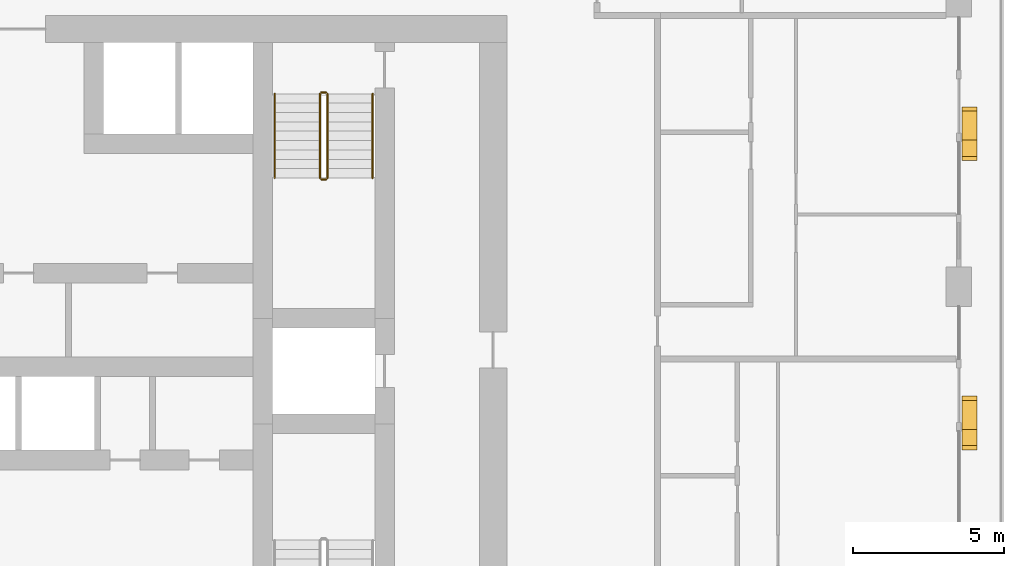
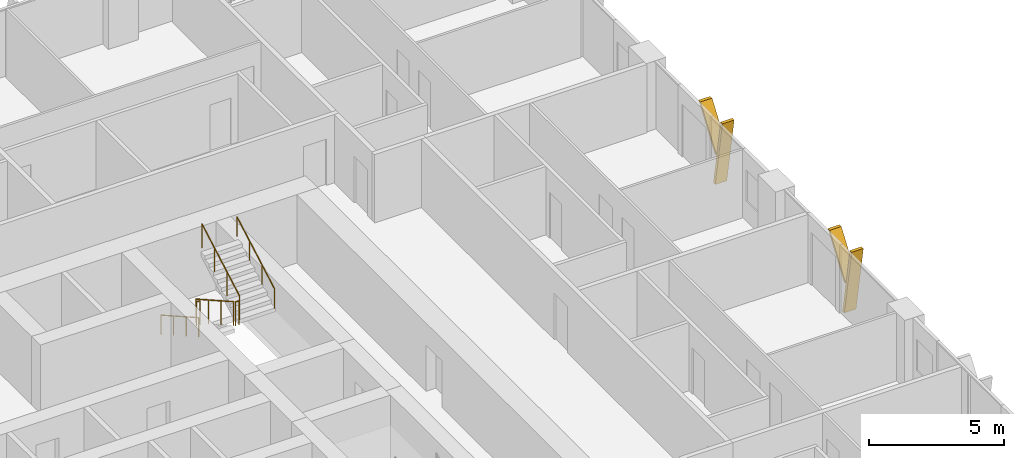
# One storey, part 20 of 21: 6 railings, 4 shading devices.
"""IFC4 building model written with IfcOpenShell, lengths in metres."""

from ifc_helpers import new_model, si_unit, direction, frame, origin, origin_2d, place, context, subcontext, project, spatial, polyline, circle, outline, extrude, material, type_object, element, save


model = new_model("IFC4")

# Units and contexts
model_context = context("Model", 3, precision=1e-05, world=origin(), true_north=direction((0.0, 1.0)))
body_context = subcontext(model_context, "Body", "Model", "MODEL_VIEW")
ifc_project = project(units=[si_unit("LENGTHUNIT", "METRE"), si_unit("AREAUNIT", "SQUARE_METRE"), si_unit("VOLUMEUNIT", "CUBIC_METRE"), si_unit("PLANEANGLEUNIT", "RADIAN"), si_unit("MASSUNIT", "GRAM", prefix="KILO")], contexts=[model_context])

# Site, building, storey
site_placement = place(None, origin())
site = spatial("IfcSite", under=ifc_project, at=site_placement, CompositionType="ELEMENT")
building_placement = place(site_placement, origin())
building = spatial("IfcBuilding", under=site, at=building_placement, Name="Madar Terraces", CompositionType="ELEMENT")
storey_placement = place(building_placement, frame((0.0, 0.0, 110.199951171875)))
storey = spatial("IfcBuildingStorey", under=building, at=storey_placement, Name="L28", CompositionType="ELEMENT", Elevation=110.199951171875)

# Shading devices
ifc_material_1 = material(Name="Aluminium, black anodised", Category="aluminium")
shading_device_type = type_object("IfcShadingDeviceType", Name="Facade fin blade 140 x 500", PredefinedType="USERDEFINED", material=ifc_material_1)
shading_device_1_placement = place(storey_placement, frame((62.75, 23.929931640625, 0.0), z_axis=(0.0, 0.0, 1.0), x_axis=(0.0, 1.0, 0.0)))
element("IfcShadingDevice", 1, at=shading_device_1_placement, inside=storey, type_object=shading_device_type, Name="FIN L28 E2", ObjectType="FIN", PredefinedType="USERDEFINED", context=body_context, shape_type="SweptSolid", body=[
    extrude(outline(polyline([(0.0, 0.0), (0.14013671875, 0.0), (-0.403076171875, 3.080078125), (-0.54296875, 3.080078125), (0.0, 0.0)])), frame((0.0, 0.25, 0.0), z_axis=(0.0, -1.0, 0.0), x_axis=(1.0, 0.0, 0.0)), (0.0, 0.0, 1.0), 0.5),
])
shading_device_2_placement = place(storey_placement, frame((62.75, 23.82568359375, 1.385986328125), z_axis=(0.0, 0.0, 1.0), x_axis=(0.0, 1.0, 0.0)))
element("IfcShadingDevice", 2, at=shading_device_2_placement, inside=storey, type_object=shading_device_type, Name="FIN L28 E2 branch", ObjectType="FIN", PredefinedType="USERDEFINED", context=body_context, shape_type="SweptSolid", body=[
    extrude(outline(polyline([(0.0, 0.0), (0.139892578125, 0.0), (1.34130859375, 1.694091796875), (1.201416015625, 1.694091796875), (0.0, 0.0)])), frame((0.0, 0.25, 0.0), z_axis=(0.0, -1.0, 0.0), x_axis=(1.0, 0.0, 0.0)), (0.0, 0.0, 1.0), 0.5),
])
shading_device_3_placement = place(storey_placement, frame((62.75, 33.530029296875, 0.0), z_axis=(0.0, 0.0, 1.0), x_axis=(0.0, 1.0, 0.0)))
element("IfcShadingDevice", 3, at=shading_device_3_placement, inside=storey, type_object=shading_device_type, Name="FIN L28 E3", ObjectType="FIN", PredefinedType="USERDEFINED", context=body_context, shape_type="SweptSolid", body=[
    extrude(outline(polyline([(0.0, 0.0), (0.139892578125, 0.0), (-0.403076171875, 3.080078125), (-0.54296875, 3.080078125), (0.0, 0.0)])), frame((0.0, 0.25, 0.0), z_axis=(0.0, -1.0, 0.0), x_axis=(1.0, 0.0, 0.0)), (0.0, 0.0, 1.0), 0.5),
])
shading_device_4_placement = place(storey_placement, frame((62.75, 33.425537109375, 1.385986328125), z_axis=(0.0, 0.0, 1.0), x_axis=(0.0, 1.0, 0.0)))
element("IfcShadingDevice", 4, at=shading_device_4_placement, inside=storey, type_object=shading_device_type, Name="FIN L28 E3 branch", ObjectType="FIN", PredefinedType="USERDEFINED", context=body_context, shape_type="SweptSolid", body=[
    extrude(outline(polyline([(0.0, 0.0), (0.14013671875, 0.0), (1.34130859375, 1.694091796875), (1.201416015625, 1.694091796875), (0.0, 0.0)])), frame((0.0, 0.25, 0.0), z_axis=(0.0, -1.0, 0.0), x_axis=(1.0, 0.0, 0.0)), (0.0, 0.0, 1.0), 0.5),
])

# Railings
ifc_material_2 = material(Name="Stainless steel railing", Category="steel")
railing_type_1 = type_object("IfcRailingType", Name="Stair guard 1100", PredefinedType="GUARDRAIL", material=ifc_material_2)
railing_1_placement = place(storey_placement, frame((41.199951171875, 35.199951171875, 0.175048828125)))
element("IfcRailing", 5, at=railing_1_placement, inside=storey, type_object=railing_type_1, Name="L28 ST2 stair guard 1", PredefinedType="GUARDRAIL", context=body_context, shape_type="SweptSolid", body=[
    extrude(circle(Radius=0.02392578125, at=origin_2d()), frame((0.0, 0.0, 1.076171875), z_axis=(0.0, -0.870833779661, 0.491577591232), x_axis=(1.0, 0.0, 0.0)), (0.0, 0.0, 1.0), 3.203857421875),
    extrude(circle(Radius=0.02099609375, at=origin_2d()), origin(), (0.0, 0.0, 1.0), 1.052001953125),
    extrude(circle(Radius=0.02099609375, at=origin_2d()), frame((0.0, -0.929931640625, 0.52490234375)), (0.0, 0.0, 1.0), 1.052001953125),
    extrude(circle(Radius=0.02099609375, at=origin_2d()), frame((0.0, -1.860107421875, 1.050048828125)), (0.0, 0.0, 1.0), 1.052001953125),
    extrude(circle(Radius=0.02099609375, at=origin_2d()), frame((0.0, -2.7900390625, 1.574951171875)), (0.0, 0.0, 1.0), 1.052001953125),
])
railing_2_placement = place(storey_placement, frame((41.25, 32.360107421875, 1.75)))
element("IfcRailing", 6, at=railing_2_placement, inside=storey, type_object=railing_type_1, Name="L28 ST2 stair guard 2", PredefinedType="GUARDRAIL", context=body_context, shape_type="SweptSolid", body=[
    extrude(circle(Radius=0.02392578125, at=origin_2d()), frame((0.0, 0.0, 1.076171875), z_axis=(1.0, 0.0, 0.0), x_axis=(0.0, 1.0, 0.0)), (0.0, 0.0, 1.0), 0.14990234375),
    extrude(circle(Radius=0.02099609375, at=origin_2d()), origin(), (0.0, 0.0, 1.0), 1.052001953125),
    extrude(circle(Radius=0.02099609375, at=origin_2d()), frame((0.14990234375, 0.0, 0.0)), (0.0, 0.0, 1.0), 1.052001953125),
])
railing_3_placement = place(storey_placement, frame((41.449951171875, 32.409912109375, 1.925048828125)))
element("IfcRailing", 7, at=railing_3_placement, inside=storey, type_object=railing_type_1, Name="L28 ST2 stair guard 3", PredefinedType="GUARDRAIL", context=body_context, shape_type="SweptSolid", body=[
    extrude(circle(Radius=0.02392578125, at=origin_2d()), frame((0.0, 0.0, 1.076171875), z_axis=(0.0, 0.870833779661, 0.491577591232), x_axis=(-1.0, 0.0, 0.0)), (0.0, 0.0, 1.0), 3.203857421875),
    extrude(circle(Radius=0.02099609375, at=origin_2d()), origin(), (0.0, 0.0, 1.0), 1.052001953125),
    extrude(circle(Radius=0.02099609375, at=origin_2d()), frame((0.0, 0.929931640625, 0.52490234375)), (0.0, 0.0, 1.0), 1.052001953125),
    extrude(circle(Radius=0.02099609375, at=origin_2d()), frame((0.0, 1.860107421875, 1.050048828125)), (0.0, 0.0, 1.0), 1.052001953125),
    extrude(circle(Radius=0.02099609375, at=origin_2d()), frame((0.0, 2.7900390625, 1.574951171875)), (0.0, 0.0, 1.0), 1.052001953125),
])
railing_4_placement = place(storey_placement, frame((41.25, 35.25, 0.0)))
element("IfcRailing", 8, at=railing_4_placement, inside=storey, type_object=railing_type_1, Name="L28 ST2 stair guard 4", PredefinedType="GUARDRAIL", context=body_context, shape_type="SweptSolid", body=[
    extrude(circle(Radius=0.02392578125, at=origin_2d()), frame((0.0, 0.0, 1.076171875), z_axis=(1.0, 0.0, 0.0), x_axis=(0.0, 1.0, 0.0)), (0.0, 0.0, 1.0), 0.14990234375),
    extrude(circle(Radius=0.02099609375, at=origin_2d()), origin(), (0.0, 0.0, 1.0), 1.052001953125),
    extrude(circle(Radius=0.02099609375, at=origin_2d()), frame((0.14990234375, 0.0, 0.0)), (0.0, 0.0, 1.0), 1.052001953125),
])
ifc_material_3 = material(Name="Stainless steel railing", Category="steel")
railing_type_2 = type_object("IfcRailingType", Name="Stair handrail 900", PredefinedType="HANDRAIL", material=ifc_material_3)
railing_5_placement = place(storey_placement, frame((39.699951171875, 35.199951171875, 0.175048828125)))
element("IfcRailing", 9, at=railing_5_placement, inside=storey, type_object=railing_type_2, Name="L28 ST2 stair handrail 1", PredefinedType="HANDRAIL", context=body_context, shape_type="SweptSolid", body=[
    extrude(circle(Radius=0.02392578125, at=origin_2d()), frame((0.0, 0.0, 0.8759765625), z_axis=(0.0, -0.870833779661, 0.491577591232), x_axis=(1.0, 0.0, 0.0)), (0.0, 0.0, 1.0), 3.203857421875),
    extrude(circle(Radius=0.02099609375, at=origin_2d()), origin(), (0.0, 0.0, 1.0), 0.851806640625),
    extrude(circle(Radius=0.02099609375, at=origin_2d()), frame((0.0, -0.929931640625, 0.52490234375)), (0.0, 0.0, 1.0), 0.851806640625),
    extrude(circle(Radius=0.02099609375, at=origin_2d()), frame((0.0, -1.860107421875, 1.050048828125)), (0.0, 0.0, 1.0), 0.851806640625),
    extrude(circle(Radius=0.02099609375, at=origin_2d()), frame((0.0, -2.7900390625, 1.574951171875)), (0.0, 0.0, 1.0), 0.851806640625),
])
railing_6_placement = place(storey_placement, frame((42.949951171875, 32.409912109375, 1.925048828125)))
element("IfcRailing", 10, at=railing_6_placement, inside=storey, type_object=railing_type_2, Name="L28 ST2 stair handrail 2", PredefinedType="HANDRAIL", context=body_context, shape_type="SweptSolid", body=[
    extrude(circle(Radius=0.02392578125, at=origin_2d()), frame((0.0, 0.0, 0.8759765625), z_axis=(0.0, 0.870833779661, 0.491577591232), x_axis=(-1.0, 0.0, 0.0)), (0.0, 0.0, 1.0), 3.203857421875),
    extrude(circle(Radius=0.02099609375, at=origin_2d()), origin(), (0.0, 0.0, 1.0), 0.851806640625),
    extrude(circle(Radius=0.02099609375, at=origin_2d()), frame((0.0, 0.929931640625, 0.52490234375)), (0.0, 0.0, 1.0), 0.851806640625),
    extrude(circle(Radius=0.02099609375, at=origin_2d()), frame((0.0, 1.860107421875, 1.050048828125)), (0.0, 0.0, 1.0), 0.851806640625),
    extrude(circle(Radius=0.02099609375, at=origin_2d()), frame((0.0, 2.7900390625, 1.574951171875)), (0.0, 0.0, 1.0), 0.851806640625),
])

save(model, "model.ifc")
